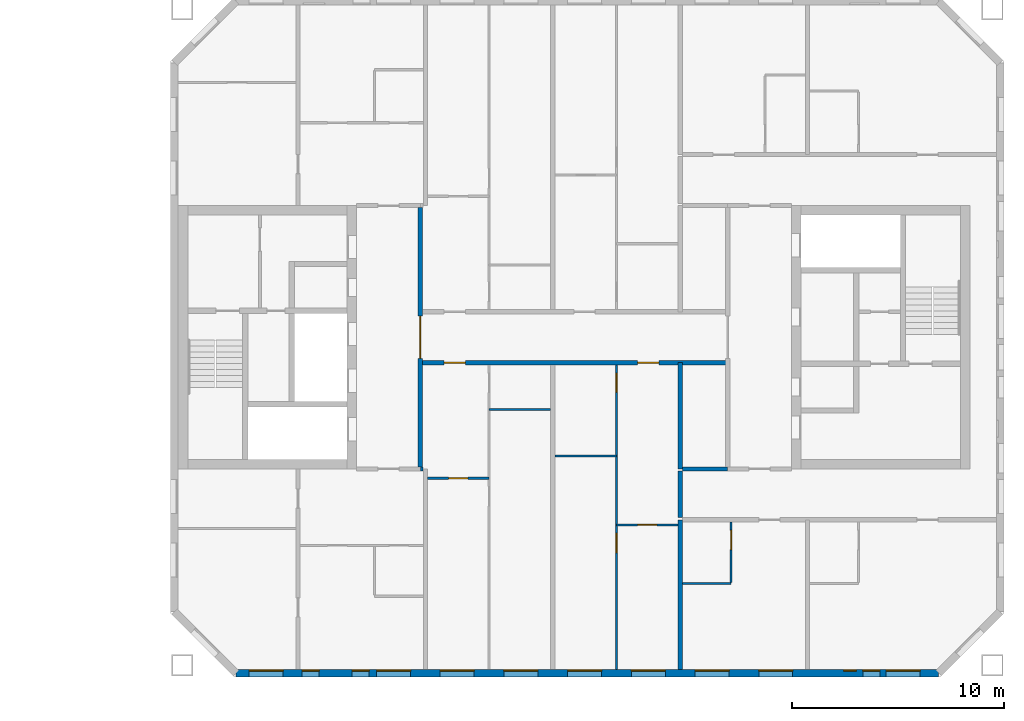
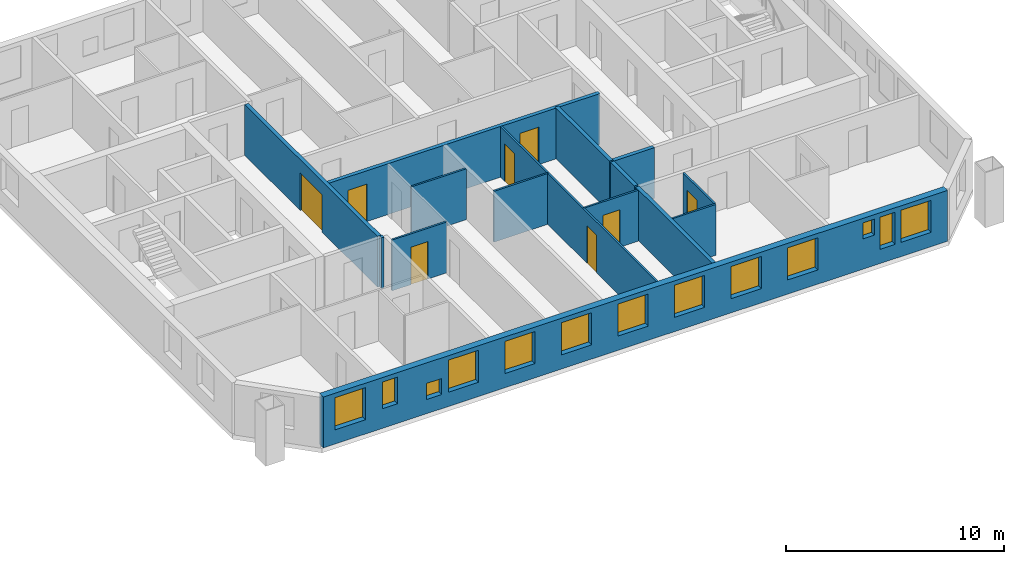
# One storey, part 10 of 16: 15 walls, 13 windows, 8 doors, 21 openings.
"""IFC4 building model written with IfcOpenShell, lengths in metres."""

import ifcopenshell
import ifcopenshell.guid

model = None  # the IFC model being written
_history = None  # IfcOwnerHistory: only IFC2X3 demands one
_inside = {}  # id of a spatial element -> (the spatial element, [elements in it])
_under = {}  # id of a project, library or spatial element -> (it, [spatial elements below it])
_declared = {}  # id of a project -> (the project, [libraries it declares])
_typed = {}  # id of a type object -> (the type object, [elements of that type])
_made_of = {}  # id of a material, layer set ... -> (it, [elements and type objects made of it])


def new_model(schema):
    """Start an empty IFC model of exactly this schema.

    Asked for "IFC4X3", IfcOpenShell would pick the latest addendum, in which some entities
    have other attributes; the version numbers below select the first issue.
    IFC2X3 requires an IfcOwnerHistory on every rooted entity: one is made here for all.
    """
    global model, _history
    if schema == "IFC4X3":
        model = ifcopenshell.file(schema_version=(4, 3, 0, 0))
    else:
        model = ifcopenshell.file(schema=schema)
    _inside.clear()
    _under.clear()
    _declared.clear()
    _typed.clear()
    _made_of.clear()
    _history = None
    if model.schema == "IFC2X3":
        org = make("IfcOrganization", Name="unknown")
        user = make(
            "IfcPersonAndOrganization",
            ThePerson=make("IfcPerson", FamilyName="unknown"),
            TheOrganization=org,
        )
        app = make(
            "IfcApplication",
            ApplicationDeveloper=org,
            Version="unknown",
            ApplicationFullName="unknown",
            ApplicationIdentifier="unknown",
        )
        _history = make(
            "IfcOwnerHistory",
            OwningUser=user,
            OwningApplication=app,
            ChangeAction="ADDED",
            CreationDate=0,
        )
    return model


def make(cls, **values):
    """One entity of the class cls with the attributes given. An attribute that is None is left unset."""
    return model.create_entity(
        cls, **{name: value for name, value in values.items() if value is not None}
    )


def rooted(cls, **values):
    """An entity with a GlobalId (a new one), such as an element, a storey or a relation."""
    return make(cls, GlobalId=ifcopenshell.guid.new(), OwnerHistory=_history, **values)


def si_unit(unit_type, name, prefix=None):
    """IfcSIUnit, for example si_unit("LENGTHUNIT", "METRE", prefix="MILLI")."""
    return make("IfcSIUnit", UnitType=unit_type, Prefix=prefix, Name=name)


def assignment(units):
    """IfcUnitAssignment: the units of a project."""
    return None if units is None else make("IfcUnitAssignment", Units=units)


def point(xyz):
    """IfcCartesianPoint."""
    return None if xyz is None else make("IfcCartesianPoint", Coordinates=xyz)


def direction(xyz):
    """IfcDirection."""
    return None if xyz is None else make("IfcDirection", DirectionRatios=xyz)


def frame(location, z_axis=None, x_axis=None):
    """IfcAxis2Placement3D, a coordinate frame: its origin and axes. An axis left out is left unset."""
    return make(
        "IfcAxis2Placement3D",
        Location=point(location),
        Axis=direction(z_axis),
        RefDirection=direction(x_axis),
    )


def frame_2d(location, x_axis=None):
    """IfcAxis2Placement2D, a coordinate frame in the plane: its origin and x axis."""
    return make(
        "IfcAxis2Placement2D", Location=point(location), RefDirection=direction(x_axis)
    )


def origin():
    """The frame at (0, 0, 0) with its axes left unset."""
    return frame((0.0, 0.0, 0.0))


def place(relative_to, where):
    """IfcLocalPlacement: puts the frame where relative to a parent placement (None: the world)."""
    return make(
        "IfcLocalPlacement", PlacementRelTo=relative_to, RelativePlacement=where
    )


def context(
    kind, dimensions, precision=None, world=None, true_north=None, identifier=None
):
    """IfcGeometricRepresentationContext, for example the 3D "Model" context."""
    return make(
        "IfcGeometricRepresentationContext",
        ContextIdentifier=identifier,
        ContextType=kind,
        CoordinateSpaceDimension=dimensions,
        Precision=precision,
        WorldCoordinateSystem=world,
        TrueNorth=true_north,
    )


def subcontext(parent, identifier, kind, view, scale=None):
    """IfcGeometricRepresentationSubContext, for example "Body" below "Model"."""
    return make(
        "IfcGeometricRepresentationSubContext",
        ContextIdentifier=identifier,
        ContextType=kind,
        ParentContext=parent,
        TargetScale=scale,
        TargetView=view,
    )


def project(units=None, contexts=None):
    """IfcProject with its units and contexts."""
    return rooted(
        "IfcProject",
        Name="project",
        RepresentationContexts=contexts,
        UnitsInContext=assignment(units),
    )


def spatial(cls, under=None, at=None, **own):
    """A site, building, storey or space (cls), placed at a placement, below another one or the project."""
    s = rooted(cls, ObjectPlacement=at, **own)
    if under is not None:
        _under.setdefault(under.id(), (under, []))[1].append(s)
    return s


def profile(cls, at=None, kind="AREA", **sizes):
    """A parametric profile (cls). Its sizes go by their IFC names, for example OverallWidth=200.0."""
    return make(cls, ProfileType=kind, Position=at, **sizes)


def rectangle(**sizes):
    """IfcRectangleProfileDef."""
    return profile("IfcRectangleProfileDef", **sizes)


def extrude(swept, where, along, depth):
    """IfcExtrudedAreaSolid: the profile swept, set in the frame where, extruded along a direction by depth."""
    return make(
        "IfcExtrudedAreaSolid",
        SweptArea=swept,
        Position=where,
        ExtrudedDirection=direction(along),
        Depth=depth,
    )


def shape(context_of_items, identifier, shape_type, items):
    """IfcShapeRepresentation: the items that make up one representation, for example the "Body"."""
    return make(
        "IfcShapeRepresentation",
        ContextOfItems=context_of_items,
        RepresentationIdentifier=identifier,
        RepresentationType=shape_type,
        Items=items,
    )


def material(Name=None, Category=None):
    """IfcMaterial."""
    return make("IfcMaterial", Name=Name, Category=Category)


def layer(
    of_material, thickness, ventilated=None, Name=None, Category=None, Priority=None
):
    """IfcMaterialLayer: one layer of a wall or slab, of a material (None: an air gap)."""
    return make(
        "IfcMaterialLayer",
        Material=of_material,
        LayerThickness=thickness,
        IsVentilated=ventilated,
        Name=Name,
        Category=Category,
        Priority=Priority,
    )


def layer_set(layers, Name=None):
    """IfcMaterialLayerSet."""
    return make("IfcMaterialLayerSet", MaterialLayers=layers, LayerSetName=Name)


def made_of(thing, what):
    """Note that an element or type object is made of a material, layer set ...; save() writes the relation."""
    if what is not None:
        _made_of.setdefault(what.id(), (what, []))[1].append(thing)
    return thing


def type_object(cls, material=None, **own):
    """A type object (cls), such as IfcWallType, which elements share."""
    return made_of(rooted(cls, **own), material)


def element(
    cls,
    number,
    at=None,
    inside=None,
    cuts=None,
    type_object=None,
    material=None,
    context=None,
    identifier="Body",
    shape_type=None,
    held_by="IfcProductDefinitionShape",
    body=None,
    shapes=None,
    **own,
):
    """One element of the class cls, such as IfcWall. Its Tag is "e" and its number.

    at: its placement. inside: the storey or other place that contains it. cuts: it is an
    opening in that element (IfcRelVoidsElement). A single representation is given by context,
    identifier, shape_type and body (its items); several are given by shapes. held_by: the class
    of the entity that holds the representations. save() writes the other relations.
    """
    e = rooted(cls, Tag="e%d" % number, ObjectPlacement=at, **own)
    if body is not None:
        shapes = [shape(context, identifier, shape_type, body)]
    if shapes is not None:
        e.Representation = make(held_by, Representations=shapes)
    if inside is not None:
        _inside.setdefault(inside.id(), (inside, []))[1].append(e)
    if cuts is not None:
        rooted(
            "IfcRelVoidsElement", RelatingBuildingElement=cuts, RelatedOpeningElement=e
        )
    if type_object is not None:
        _typed.setdefault(type_object.id(), (type_object, []))[1].append(e)
    return made_of(e, material)


def fill(opening, filler):
    """IfcRelFillsElement: the door or window that sits in an opening."""
    return rooted(
        "IfcRelFillsElement",
        RelatingOpeningElement=opening,
        RelatedBuildingElement=filler,
    )


def aggregate(whole, parts):
    """IfcRelAggregates: a whole, such as a stair, and the parts it consists of."""
    return rooted("IfcRelAggregates", RelatingObject=whole, RelatedObjects=parts)


def save(model, path):
    """Write the relations noted so far, then the file.

    IfcRelAggregates (storeys below a building ...), IfcRelContainedInSpatialStructure (elements
    in a storey), IfcRelDefinesByType, IfcRelAssociatesMaterial and IfcRelDeclares: one each for
    every whole, place, type object, material and project.
    """
    for whole, parts in _under.values():
        aggregate(whole, parts)
    for where, things in _inside.values():
        rooted(
            "IfcRelContainedInSpatialStructure",
            RelatedElements=things,
            RelatingStructure=where,
        )
    for kind, things in _typed.values():
        rooted("IfcRelDefinesByType", RelatedObjects=things, RelatingType=kind)
    for what, things in _made_of.values():
        rooted("IfcRelAssociatesMaterial", RelatedObjects=things, RelatingMaterial=what)
    for by, libraries in _declared.values():
        rooted("IfcRelDeclares", RelatingContext=by, RelatedDefinitions=libraries)
    model.write(path)


model = new_model("IFC4")

# Units and contexts
model_context = context("Model", 3, precision=1e-05, world=origin(), true_north=direction((0.0, 1.0)))
body_context = subcontext(model_context, "Body", "Model", "MODEL_VIEW")
ifc_project = project(units=[si_unit("LENGTHUNIT", "METRE"), si_unit("AREAUNIT", "SQUARE_METRE"), si_unit("VOLUMEUNIT", "CUBIC_METRE"), si_unit("PLANEANGLEUNIT", "RADIAN"), si_unit("MASSUNIT", "GRAM", prefix="KILO")], contexts=[model_context])

# Site, building, storey
site_placement = place(None, origin())
site = spatial("IfcSite", under=ifc_project, at=site_placement, CompositionType="ELEMENT")
building_placement = place(site_placement, origin())
building = spatial("IfcBuilding", under=site, at=building_placement, Name="Tuart Gate Housing", CompositionType="ELEMENT")
storey_placement = place(building_placement, frame((0.0, 0.0, 178.89990234375)))
storey = spatial("IfcBuildingStorey", under=building, at=storey_placement, Name="L50", CompositionType="ELEMENT", Elevation=178.89990234375)

# Wall, openings, windows
ifc_material_1 = material(Name="Brick", Category="masonry")
ifc_layer_1 = layer(ifc_material_1, 0.360107421875)
ifc_layer_set_1 = layer_set([ifc_layer_1], Name="Brick pier and spandrel wall 360")
wall_type_1 = type_object("IfcWallType", Name="Brick pier and spandrel wall 360", PredefinedType="STANDARD", material=ifc_layer_set_1)
wall_1_placement = place(storey_placement, frame((134.07470703125, 54.179931640625, 0.0), z_axis=(0.0, 0.0, 1.0), x_axis=(1.0, 0.0, 0.0)))
wall_1 = element("IfcWall", 1, at=wall_1_placement, inside=storey, type_object=wall_type_1, Name="External wall B-S L50", PredefinedType="STANDARD", context=body_context, shape_type="SweptSolid", body=[
    extrude(rectangle(XDim=33.100830078125, YDim=0.360107421875, at=frame_2d((16.55029296875, 0.0))), origin(), (0.0, 0.0, 1.0), 2.85009765625),
])
opening_1_placement = place(wall_1_placement, frame((0.62548828125, 0.0, 0.800048828125)))
opening_1 = element("IfcOpeningElement", 2, at=opening_1_placement, cuts=wall_1, Name="Opening W1", PredefinedType="OPENING", context=body_context, shape_type="SweptSolid", body=[
    extrude(rectangle(XDim=1.60009765625, YDim=1.800048828125, at=frame_2d((0.800048828125, 0.89990234375))), frame((0.0, 0.18994140625, 0.0), z_axis=(0.0, -1.0, 0.0), x_axis=(1.0, 0.0, 0.0)), (0.0, 0.0, 1.0), 0.380126953125),
])
opening_2_placement = place(wall_1_placement, frame((3.12548828125, 0.0, 1.10009765625)))
opening_2 = element("IfcOpeningElement", 3, at=opening_2_placement, cuts=wall_1, Name="Opening W1J", PredefinedType="OPENING", context=body_context, shape_type="SweptSolid", body=[
    extrude(rectangle(XDim=0.800048828125, YDim=1.5, at=frame_2d((0.39990234375, 0.75))), frame((0.0, 0.18994140625, 0.0), z_axis=(0.0, -1.0, 0.0), x_axis=(1.0, 0.0, 0.0)), (0.0, 0.0, 1.0), 0.380126953125),
])
opening_3_placement = place(wall_1_placement, frame((6.62548828125, 0.0, 0.800048828125)))
opening_3 = element("IfcOpeningElement", 4, at=opening_3_placement, cuts=wall_1, Name="Opening W1", PredefinedType="OPENING", context=body_context, shape_type="SweptSolid", body=[
    extrude(rectangle(XDim=1.60009765625, YDim=1.800048828125, at=frame_2d((0.800048828125, 0.89990234375))), frame((0.0, 0.18994140625, 0.0), z_axis=(0.0, -1.0, 0.0), x_axis=(1.0, 0.0, 0.0)), (0.0, 0.0, 1.0), 0.380126953125),
])
opening_4_placement = place(wall_1_placement, frame((9.62548828125, 0.0, 0.800048828125)))
opening_4 = element("IfcOpeningElement", 5, at=opening_4_placement, cuts=wall_1, Name="Opening W1", PredefinedType="OPENING", context=body_context, shape_type="SweptSolid", body=[
    extrude(rectangle(XDim=1.60009765625, YDim=1.800048828125, at=frame_2d((0.800048828125, 0.89990234375))), frame((0.0, 0.18994140625, 0.0), z_axis=(0.0, -1.0, 0.0), x_axis=(1.0, 0.0, 0.0)), (0.0, 0.0, 1.0), 0.380126953125),
])
opening_5_placement = place(wall_1_placement, frame((12.62548828125, 0.0, 0.800048828125)))
opening_5 = element("IfcOpeningElement", 6, at=opening_5_placement, cuts=wall_1, Name="Opening W1", PredefinedType="OPENING", context=body_context, shape_type="SweptSolid", body=[
    extrude(rectangle(XDim=1.60009765625, YDim=1.800048828125, at=frame_2d((0.800048828125, 0.89990234375))), frame((0.0, 0.18994140625, 0.0), z_axis=(0.0, -1.0, 0.0), x_axis=(1.0, 0.0, 0.0)), (0.0, 0.0, 1.0), 0.380126953125),
])
opening_6_placement = place(wall_1_placement, frame((15.62548828125, 0.0, 0.800048828125)))
opening_6 = element("IfcOpeningElement", 7, at=opening_6_placement, cuts=wall_1, Name="Opening W1", PredefinedType="OPENING", context=body_context, shape_type="SweptSolid", body=[
    extrude(rectangle(XDim=1.60009765625, YDim=1.800048828125, at=frame_2d((0.800048828125, 0.89990234375))), frame((0.0, 0.18994140625, 0.0), z_axis=(0.0, -1.0, 0.0), x_axis=(1.0, 0.0, 0.0)), (0.0, 0.0, 1.0), 0.380126953125),
])
opening_7_placement = place(wall_1_placement, frame((18.62548828125, 0.0, 0.800048828125)))
opening_7 = element("IfcOpeningElement", 8, at=opening_7_placement, cuts=wall_1, Name="Opening W1", PredefinedType="OPENING", context=body_context, shape_type="SweptSolid", body=[
    extrude(rectangle(XDim=1.60009765625, YDim=1.800048828125, at=frame_2d((0.800048828125, 0.89990234375))), frame((0.0, 0.18994140625, 0.0), z_axis=(0.0, -1.0, 0.0), x_axis=(1.0, 0.0, 0.0)), (0.0, 0.0, 1.0), 0.380126953125),
])
opening_8_placement = place(wall_1_placement, frame((21.62548828125, 0.0, 0.800048828125)))
opening_8 = element("IfcOpeningElement", 9, at=opening_8_placement, cuts=wall_1, Name="Opening W1", PredefinedType="OPENING", context=body_context, shape_type="SweptSolid", body=[
    extrude(rectangle(XDim=1.60009765625, YDim=1.800048828125, at=frame_2d((0.800048828125, 0.89990234375))), frame((0.0, 0.18994140625, 0.0), z_axis=(0.0, -1.0, 0.0), x_axis=(1.0, 0.0, 0.0)), (0.0, 0.0, 1.0), 0.380126953125),
])
opening_9_placement = place(wall_1_placement, frame((24.62548828125, 0.0, 0.800048828125)))
opening_9 = element("IfcOpeningElement", 10, at=opening_9_placement, cuts=wall_1, Name="Opening W1", PredefinedType="OPENING", context=body_context, shape_type="SweptSolid", body=[
    extrude(rectangle(XDim=1.60009765625, YDim=1.800048828125, at=frame_2d((0.800048828125, 0.89990234375))), frame((0.0, 0.18994140625, 0.0), z_axis=(0.0, -1.0, 0.0), x_axis=(1.0, 0.0, 0.0)), (0.0, 0.0, 1.0), 0.380126953125),
])
opening_10_placement = place(wall_1_placement, frame((28.62548828125, 0.0, 1.699951171875)))
opening_10 = element("IfcOpeningElement", 11, at=opening_10_placement, cuts=wall_1, Name="Opening W1W", PredefinedType="OPENING", context=body_context, shape_type="SweptSolid", body=[
    extrude(rectangle(XDim=0.60009765625, YDim=0.89990234375, at=frame_2d((0.300048828125, 0.449951171875))), frame((0.0, 0.18994140625, 0.0), z_axis=(0.0, -1.0, 0.0), x_axis=(1.0, 0.0, 0.0)), (0.0, 0.0, 1.0), 0.380126953125),
])
opening_11_placement = place(wall_1_placement, frame((30.62548828125, 0.0, 0.800048828125)))
opening_11 = element("IfcOpeningElement", 12, at=opening_11_placement, cuts=wall_1, Name="Opening W1", PredefinedType="OPENING", context=body_context, shape_type="SweptSolid", body=[
    extrude(rectangle(XDim=1.60009765625, YDim=1.800048828125, at=frame_2d((0.800048828125, 0.89990234375))), frame((0.0, 0.18994140625, 0.0), z_axis=(0.0, -1.0, 0.0), x_axis=(1.0, 0.0, 0.0)), (0.0, 0.0, 1.0), 0.380126953125),
])
opening_12_placement = place(wall_1_placement, frame((5.475341796875, 0.0, 0.800048828125)))
opening_12 = element("IfcOpeningElement", 13, at=opening_12_placement, cuts=wall_1, Name="Opening W1V", PredefinedType="OPENING", context=body_context, shape_type="SweptSolid", body=[
    extrude(rectangle(XDim=0.800048828125, YDim=0.89990234375, at=frame_2d((0.39990234375, 0.449951171875))), frame((0.0, 0.18994140625, 0.0), z_axis=(0.0, -1.0, 0.0), x_axis=(1.0, 0.0, 0.0)), (0.0, 0.0, 1.0), 0.380126953125),
])
opening_13_placement = place(wall_1_placement, frame((29.525390625, 0.0, 0.800048828125)))
opening_13 = element("IfcOpeningElement", 14, at=opening_13_placement, cuts=wall_1, Name="Opening W1D", PredefinedType="OPENING", context=body_context, shape_type="SweptSolid", body=[
    extrude(rectangle(XDim=0.800048828125, YDim=1.800048828125, at=frame_2d((0.39990234375, 0.89990234375))), frame((0.0, 0.18994140625, 0.0), z_axis=(0.0, -1.0, 0.0), x_axis=(1.0, 0.0, 0.0)), (0.0, 0.0, 1.0), 0.380126953125),
])
ifc_material_2 = material(Name="Aluminium frame with clear glass", Category="aluminium")
window_type_1 = type_object("IfcWindowType", Name="Punched window 1600 x 1800", PartitioningType="SINGLE_PANEL", PredefinedType="WINDOW", material=ifc_material_2)
window_1_placement = place(opening_1_placement, origin())
window_1 = element("IfcWindow", 15, at=window_1_placement, inside=storey, type_object=window_type_1, Name="Window W1", OverallHeight=1.800048828125, OverallWidth=1.60009765625, PartitioningType="SINGLE_PANEL", PredefinedType="WINDOW", context=body_context, shape_type="SweptSolid", body=[
    extrude(rectangle(XDim=1.60009765625, YDim=1.800048828125, at=frame_2d((0.800048828125, 0.89990234375))), frame((0.0, 0.150146484375, 0.0), z_axis=(0.0, -1.0, 0.0), x_axis=(1.0, 0.0, 0.0)), (0.0, 0.0, 1.0), 0.06005859375),
])
fill(opening_1, window_1)
window_2_placement = place(opening_3_placement, origin())
window_2 = element("IfcWindow", 16, at=window_2_placement, inside=storey, type_object=window_type_1, Name="Window W1", OverallHeight=1.800048828125, OverallWidth=1.60009765625, PartitioningType="SINGLE_PANEL", PredefinedType="WINDOW", context=body_context, shape_type="SweptSolid", body=[
    extrude(rectangle(XDim=1.60009765625, YDim=1.800048828125, at=frame_2d((0.800048828125, 0.89990234375))), frame((0.0, 0.150146484375, 0.0), z_axis=(0.0, -1.0, 0.0), x_axis=(1.0, 0.0, 0.0)), (0.0, 0.0, 1.0), 0.06005859375),
])
fill(opening_3, window_2)
window_3_placement = place(opening_4_placement, origin())
window_3 = element("IfcWindow", 17, at=window_3_placement, inside=storey, type_object=window_type_1, Name="Window W1", OverallHeight=1.800048828125, OverallWidth=1.60009765625, PartitioningType="SINGLE_PANEL", PredefinedType="WINDOW", context=body_context, shape_type="SweptSolid", body=[
    extrude(rectangle(XDim=1.60009765625, YDim=1.800048828125, at=frame_2d((0.800048828125, 0.89990234375))), frame((0.0, 0.150146484375, 0.0), z_axis=(0.0, -1.0, 0.0), x_axis=(1.0, 0.0, 0.0)), (0.0, 0.0, 1.0), 0.06005859375),
])
fill(opening_4, window_3)
window_4_placement = place(opening_5_placement, origin())
window_4 = element("IfcWindow", 18, at=window_4_placement, inside=storey, type_object=window_type_1, Name="Window W1", OverallHeight=1.800048828125, OverallWidth=1.60009765625, PartitioningType="SINGLE_PANEL", PredefinedType="WINDOW", context=body_context, shape_type="SweptSolid", body=[
    extrude(rectangle(XDim=1.60009765625, YDim=1.800048828125, at=frame_2d((0.800048828125, 0.89990234375))), frame((0.0, 0.150146484375, 0.0), z_axis=(0.0, -1.0, 0.0), x_axis=(1.0, 0.0, 0.0)), (0.0, 0.0, 1.0), 0.06005859375),
])
fill(opening_5, window_4)
window_5_placement = place(opening_6_placement, origin())
window_5 = element("IfcWindow", 19, at=window_5_placement, inside=storey, type_object=window_type_1, Name="Window W1", OverallHeight=1.800048828125, OverallWidth=1.60009765625, PartitioningType="SINGLE_PANEL", PredefinedType="WINDOW", context=body_context, shape_type="SweptSolid", body=[
    extrude(rectangle(XDim=1.60009765625, YDim=1.800048828125, at=frame_2d((0.800048828125, 0.89990234375))), frame((0.0, 0.150146484375, 0.0), z_axis=(0.0, -1.0, 0.0), x_axis=(1.0, 0.0, 0.0)), (0.0, 0.0, 1.0), 0.06005859375),
])
fill(opening_6, window_5)
window_6_placement = place(opening_7_placement, origin())
window_6 = element("IfcWindow", 20, at=window_6_placement, inside=storey, type_object=window_type_1, Name="Window W1", OverallHeight=1.800048828125, OverallWidth=1.60009765625, PartitioningType="SINGLE_PANEL", PredefinedType="WINDOW", context=body_context, shape_type="SweptSolid", body=[
    extrude(rectangle(XDim=1.60009765625, YDim=1.800048828125, at=frame_2d((0.800048828125, 0.89990234375))), frame((0.0, 0.150146484375, 0.0), z_axis=(0.0, -1.0, 0.0), x_axis=(1.0, 0.0, 0.0)), (0.0, 0.0, 1.0), 0.06005859375),
])
fill(opening_7, window_6)
window_7_placement = place(opening_8_placement, origin())
window_7 = element("IfcWindow", 21, at=window_7_placement, inside=storey, type_object=window_type_1, Name="Window W1", OverallHeight=1.800048828125, OverallWidth=1.60009765625, PartitioningType="SINGLE_PANEL", PredefinedType="WINDOW", context=body_context, shape_type="SweptSolid", body=[
    extrude(rectangle(XDim=1.60009765625, YDim=1.800048828125, at=frame_2d((0.800048828125, 0.89990234375))), frame((0.0, 0.150146484375, 0.0), z_axis=(0.0, -1.0, 0.0), x_axis=(1.0, 0.0, 0.0)), (0.0, 0.0, 1.0), 0.06005859375),
])
fill(opening_8, window_7)
window_8_placement = place(opening_9_placement, origin())
window_8 = element("IfcWindow", 22, at=window_8_placement, inside=storey, type_object=window_type_1, Name="Window W1", OverallHeight=1.800048828125, OverallWidth=1.60009765625, PartitioningType="SINGLE_PANEL", PredefinedType="WINDOW", context=body_context, shape_type="SweptSolid", body=[
    extrude(rectangle(XDim=1.60009765625, YDim=1.800048828125, at=frame_2d((0.800048828125, 0.89990234375))), frame((0.0, 0.150146484375, 0.0), z_axis=(0.0, -1.0, 0.0), x_axis=(1.0, 0.0, 0.0)), (0.0, 0.0, 1.0), 0.06005859375),
])
fill(opening_9, window_8)
window_9_placement = place(opening_11_placement, origin())
window_9 = element("IfcWindow", 23, at=window_9_placement, inside=storey, type_object=window_type_1, Name="Window W1", OverallHeight=1.800048828125, OverallWidth=1.60009765625, PartitioningType="SINGLE_PANEL", PredefinedType="WINDOW", context=body_context, shape_type="SweptSolid", body=[
    extrude(rectangle(XDim=1.60009765625, YDim=1.800048828125, at=frame_2d((0.800048828125, 0.89990234375))), frame((0.0, 0.150146484375, 0.0), z_axis=(0.0, -1.0, 0.0), x_axis=(1.0, 0.0, 0.0)), (0.0, 0.0, 1.0), 0.06005859375),
])
fill(opening_11, window_9)
ifc_material_3 = material(Name="Aluminium frame with clear glass", Category="aluminium")
window_type_2 = type_object("IfcWindowType", Name="Punched window 600 x 900", PartitioningType="SINGLE_PANEL", PredefinedType="WINDOW", material=ifc_material_3)
window_10_placement = place(opening_10_placement, origin())
window_10 = element("IfcWindow", 24, at=window_10_placement, inside=storey, type_object=window_type_2, Name="Window W1W", OverallHeight=0.89990234375, OverallWidth=0.60009765625, PartitioningType="SINGLE_PANEL", PredefinedType="WINDOW", context=body_context, shape_type="SweptSolid", body=[
    extrude(rectangle(XDim=0.60009765625, YDim=0.89990234375, at=frame_2d((0.300048828125, 0.449951171875))), frame((0.0, 0.150146484375, 0.0), z_axis=(0.0, -1.0, 0.0), x_axis=(1.0, 0.0, 0.0)), (0.0, 0.0, 1.0), 0.06005859375),
])
fill(opening_10, window_10)
ifc_material_4 = material(Name="Aluminium frame with clear glass", Category="aluminium")
window_type_3 = type_object("IfcWindowType", Name="Punched window 800 x 1500", PartitioningType="SINGLE_PANEL", PredefinedType="WINDOW", material=ifc_material_4)
window_11_placement = place(opening_2_placement, origin())
window_11 = element("IfcWindow", 25, at=window_11_placement, inside=storey, type_object=window_type_3, Name="Window W1J", OverallHeight=1.5, OverallWidth=0.800048828125, PartitioningType="SINGLE_PANEL", PredefinedType="WINDOW", context=body_context, shape_type="SweptSolid", body=[
    extrude(rectangle(XDim=0.800048828125, YDim=1.5, at=frame_2d((0.39990234375, 0.75))), frame((0.0, 0.150146484375, 0.0), z_axis=(0.0, -1.0, 0.0), x_axis=(1.0, 0.0, 0.0)), (0.0, 0.0, 1.0), 0.06005859375),
])
fill(opening_2, window_11)
ifc_material_5 = material(Name="Aluminium frame with clear glass", Category="aluminium")
window_type_4 = type_object("IfcWindowType", Name="Punched window 800 x 1800", PartitioningType="SINGLE_PANEL", PredefinedType="WINDOW", material=ifc_material_5)
window_12_placement = place(opening_13_placement, origin())
window_12 = element("IfcWindow", 26, at=window_12_placement, inside=storey, type_object=window_type_4, Name="Window W1D", OverallHeight=1.800048828125, OverallWidth=0.800048828125, PartitioningType="SINGLE_PANEL", PredefinedType="WINDOW", context=body_context, shape_type="SweptSolid", body=[
    extrude(rectangle(XDim=0.800048828125, YDim=1.800048828125, at=frame_2d((0.39990234375, 0.89990234375))), frame((0.0, 0.150146484375, 0.0), z_axis=(0.0, -1.0, 0.0), x_axis=(1.0, 0.0, 0.0)), (0.0, 0.0, 1.0), 0.06005859375),
])
fill(opening_13, window_12)
ifc_material_6 = material(Name="Aluminium frame with clear glass", Category="aluminium")
window_type_5 = type_object("IfcWindowType", Name="Punched window 800 x 900", PartitioningType="SINGLE_PANEL", PredefinedType="WINDOW", material=ifc_material_6)
window_13_placement = place(opening_12_placement, origin())
window_13 = element("IfcWindow", 27, at=window_13_placement, inside=storey, type_object=window_type_5, Name="Window W1V", OverallHeight=0.89990234375, OverallWidth=0.800048828125, PartitioningType="SINGLE_PANEL", PredefinedType="WINDOW", context=body_context, shape_type="SweptSolid", body=[
    extrude(rectangle(XDim=0.800048828125, YDim=0.89990234375, at=frame_2d((0.39990234375, 0.449951171875))), frame((0.0, 0.150146484375, 0.0), z_axis=(0.0, -1.0, 0.0), x_axis=(1.0, 0.0, 0.0)), (0.0, 0.0, 1.0), 0.06005859375),
])
fill(opening_12, window_13)

# Wall
ifc_material_7 = material(Name="Concrete masonry 15 MPa", Category="masonry")
ifc_layer_2 = layer(ifc_material_7, 0.199951171875)
ifc_layer_set_2 = layer_set([ifc_layer_2], Name="Corridor wall masonry 200")
wall_type_2 = type_object("IfcWallType", Name="Corridor wall masonry 200", PredefinedType="PARTITIONING", material=ifc_layer_set_2)
wall_2_placement = place(storey_placement, frame((155.10009765625, 63.800048828125, 0.0), z_axis=(0.0, 0.0, 1.0), x_axis=(1.0, 0.0, 0.0)))
element("IfcWall", 28, at=wall_2_placement, inside=storey, type_object=wall_type_2, Name="Corridor wall masonry 200", PredefinedType="PARTITIONING", context=body_context, shape_type="SweptSolid", body=[
    extrude(rectangle(XDim=2.139892578125, YDim=0.199951171875, at=frame_2d((1.06982421875, 0.0))), origin(), (0.0, 0.0, 1.0), 2.85009765625),
])

# Wall, openings, doors
wall_3_placement = place(storey_placement, frame((142.760009765625, 68.800048828125, 0.0), z_axis=(0.0, 0.0, 1.0), x_axis=(1.0, 0.0, 0.0)))
wall_3 = element("IfcWall", 29, at=wall_3_placement, inside=storey, type_object=wall_type_2, Name="Corridor wall masonry 200", PredefinedType="PARTITIONING", context=body_context, shape_type="SweptSolid", body=[
    extrude(rectangle(XDim=14.47998046875, YDim=0.199951171875, at=frame_2d((7.239990234375, 0.0))), origin(), (0.0, 0.0, 1.0), 2.85009765625),
])
opening_14_placement = place(wall_3_placement, frame((1.1201171875, 0.0, 0.0)))
opening_14 = element("IfcOpeningElement", 30, at=opening_14_placement, cuts=wall_3, Name="Opening D1820", PredefinedType="OPENING", context=body_context, shape_type="SweptSolid", body=[
    extrude(rectangle(XDim=1.0, YDim=2.10009765625, at=frame_2d((0.5, 1.050048828125))), frame((0.0, 0.10986328125, 0.0), z_axis=(0.0, -1.0, 0.0), x_axis=(1.0, 0.0, 0.0)), (0.0, 0.0, 1.0), 0.219970703125),
])
opening_15_placement = place(wall_3_placement, frame((10.239990234375, 0.0, 0.0)))
opening_15 = element("IfcOpeningElement", 31, at=opening_15_placement, cuts=wall_3, Name="Opening D1821", PredefinedType="OPENING", context=body_context, shape_type="SweptSolid", body=[
    extrude(rectangle(XDim=1.0, YDim=2.10009765625, at=frame_2d((0.5, 1.050048828125))), frame((0.0, 0.10986328125, 0.0), z_axis=(0.0, -1.0, 0.0), x_axis=(1.0, 0.0, 0.0)), (0.0, 0.0, 1.0), 0.219970703125),
])
ifc_material_8 = material(Name="Timber door leaf in steel frame", Category="steel")
door_type_1 = type_object("IfcDoorType", Name="Flat entrance door 1000 RH", OperationType="SINGLE_SWING_RIGHT", PredefinedType="DOOR", material=ifc_material_8)
door_1_placement = place(opening_14_placement, frame((1.0, 0.0, 0.0), z_axis=(0.0, 0.0, 1.0), x_axis=(-1.0, 0.0, 0.0)))
door_1 = element("IfcDoor", 32, at=door_1_placement, inside=storey, type_object=door_type_1, Name="Flat entrance door", OperationType="SINGLE_SWING_RIGHT", OverallHeight=2.10009765625, OverallWidth=1.0, PredefinedType="DOOR", context=body_context, shape_type="SweptSolid", body=[
    extrude(rectangle(XDim=1.0, YDim=2.10009765625, at=frame_2d((0.5, 1.050048828125))), frame((0.0, 0.025146484375, 0.0), z_axis=(0.0, -1.0, 0.0), x_axis=(1.0, 0.0, 0.0)), (0.0, 0.0, 1.0), 0.050048828125),
])
fill(opening_14, door_1)
door_2_placement = place(opening_15_placement, frame((1.0, 0.0, 0.0), z_axis=(0.0, 0.0, 1.0), x_axis=(-1.0, 0.0, 0.0)))
door_2 = element("IfcDoor", 33, at=door_2_placement, inside=storey, type_object=door_type_1, Name="Flat entrance door", OperationType="SINGLE_SWING_RIGHT", OverallHeight=2.10009765625, OverallWidth=1.0, PredefinedType="DOOR", context=body_context, shape_type="SweptSolid", body=[
    extrude(rectangle(XDim=1.0, YDim=2.10009765625, at=frame_2d((0.5, 1.050048828125))), frame((0.0, 0.025146484375, 0.0), z_axis=(0.0, -1.0, 0.0), x_axis=(1.0, 0.0, 0.0)), (0.0, 0.0, 1.0), 0.050048828125),
])
fill(opening_15, door_2)

# Wall
wall_4_placement = place(storey_placement, frame((155.0, 61.5, 0.0), z_axis=(0.0, 0.0, 1.0), x_axis=(0.0, 1.0, 0.0)))
element("IfcWall", 34, at=wall_4_placement, inside=storey, type_object=wall_type_2, Name="Corridor wall masonry 200", PredefinedType="PARTITIONING", context=body_context, shape_type="SweptSolid", body=[
    extrude(rectangle(XDim=2.199951171875, YDim=0.199951171875, at=frame_2d((1.10009765625, 0.0))), origin(), (0.0, 0.0, 1.0), 2.85009765625),
])

# Wall, opening, door
ifc_material_9 = material(Name="Plasterboard partition")
ifc_layer_3 = layer(ifc_material_9, 0.199951171875)
ifc_layer_set_3 = layer_set([ifc_layer_3], Name="Lobby wall 200")
wall_type_3 = type_object("IfcWallType", Name="Lobby wall 200", PredefinedType="PARTITIONING", material=ifc_layer_set_3)
wall_5_placement = place(storey_placement, frame((142.760009765625, 63.89990234375, 0.0), z_axis=(0.0, 0.0, 1.0), x_axis=(0.0, 1.0, 0.0)))
wall_5 = element("IfcWall", 35, at=wall_5_placement, inside=storey, type_object=wall_type_3, Name="Lift lobby wall BG", PredefinedType="PARTITIONING", context=body_context, shape_type="SweptSolid", body=[
    extrude(rectangle(XDim=12.2001953125, YDim=0.199951171875, at=frame_2d((6.10009765625, 0.0))), origin(), (0.0, 0.0, 1.0), 2.85009765625),
])
opening_16_placement = place(wall_5_placement, frame((5.10009765625, 0.0, 0.0)))
opening_16 = element("IfcOpeningElement", 36, at=opening_16_placement, cuts=wall_5, Name="Opening D1815", PredefinedType="OPENING", context=body_context, shape_type="SweptSolid", body=[
    extrude(rectangle(XDim=2.0, YDim=2.10009765625, at=frame_2d((1.0, 1.050048828125))), frame((0.0, 0.10986328125, 0.0), z_axis=(0.0, -1.0, 0.0), x_axis=(1.0, 0.0, 0.0)), (0.0, 0.0, 1.0), 0.219970703125),
])
ifc_material_10 = material(Name="Steel fire door", Category="steel")
door_type_2 = type_object("IfcDoorType", Name="Smoke door 2000 x 2100", OperationType="DOUBLE_DOOR_SINGLE_SWING", PredefinedType="DOOR", material=ifc_material_10)
door_3_placement = place(opening_16_placement, origin())
door_3 = element("IfcDoor", 37, at=door_3_placement, inside=storey, type_object=door_type_2, Name="Lift lobby smoke door BG", OperationType="DOUBLE_DOOR_SINGLE_SWING", OverallHeight=2.10009765625, OverallWidth=2.0, PredefinedType="DOOR", context=body_context, shape_type="SweptSolid", body=[
    extrude(rectangle(XDim=2.0, YDim=2.10009765625, at=frame_2d((1.0, 1.050048828125))), frame((0.0, 0.02490234375, 0.0), z_axis=(0.0, -1.0, 0.0), x_axis=(1.0, 0.0, 0.0)), (0.0, 0.0, 1.0), 0.050048828125),
])
fill(opening_16, door_3)

# Wall
ifc_material_11 = material(Name="Gypsum board on steel studs", Category="steel")
ifc_layer_4 = layer(ifc_material_11, 0.10009765625)
ifc_layer_set_4 = layer_set([ifc_layer_4], Name="Partition 100")
wall_type_4 = type_object("IfcWallType", Name="Partition 100", PredefinedType="PARTITIONING", material=ifc_layer_set_4)
wall_6_placement = place(storey_placement, frame((155.10009765625, 58.39990234375, 0.0), z_axis=(0.0, 0.0, 1.0), x_axis=(1.0, 0.0, 0.0)))
element("IfcWall", 38, at=wall_6_placement, inside=storey, type_object=wall_type_4, Name="Partition 100", PredefinedType="PARTITIONING", context=body_context, shape_type="SweptSolid", body=[
    extrude(rectangle(XDim=2.2998046875, YDim=0.10009765625, at=frame_2d((1.14990234375, 0.0))), origin(), (0.0, 0.0, 1.0), 2.85009765625),
])

# Wall, opening, door
wall_7_placement = place(storey_placement, frame((152.0, 61.159912109375, 0.0), z_axis=(0.0, 0.0, 1.0), x_axis=(1.0, 0.0, 0.0)))
wall_7 = element("IfcWall", 39, at=wall_7_placement, inside=storey, type_object=wall_type_4, Name="Partition 100", PredefinedType="PARTITIONING", context=body_context, shape_type="SweptSolid", body=[
    extrude(rectangle(XDim=2.89990234375, YDim=0.10009765625, at=frame_2d((1.449951171875, 0.0))), origin(), (0.0, 0.0, 1.0), 2.85009765625),
])
opening_17_placement = place(wall_7_placement, frame((1.0, 0.0, 0.0)))
opening_17 = element("IfcOpeningElement", 40, at=opening_17_placement, cuts=wall_7, Name="Opening D1833", PredefinedType="OPENING", context=body_context, shape_type="SweptSolid", body=[
    extrude(rectangle(XDim=0.89990234375, YDim=2.10009765625, at=frame_2d((0.449951171875, 1.050048828125))), frame((0.0, 0.06005859375, 0.0), z_axis=(0.0, -1.0, 0.0), x_axis=(1.0, 0.0, 0.0)), (0.0, 0.0, 1.0), 0.1201171875),
])
ifc_material_12 = material(Name="Timber door leaf in steel frame", Category="steel")
door_type_3 = type_object("IfcDoorType", Name="Internal door 900", OperationType="SINGLE_SWING_LEFT", PredefinedType="DOOR", material=ifc_material_12)
door_4_placement = place(opening_17_placement, origin())
door_4 = element("IfcDoor", 41, at=door_4_placement, inside=storey, type_object=door_type_3, Name="Internal door", OperationType="SINGLE_SWING_LEFT", OverallHeight=2.10009765625, OverallWidth=0.89990234375, PredefinedType="DOOR", context=body_context, shape_type="SweptSolid", body=[
    extrude(rectangle(XDim=0.89990234375, YDim=2.10009765625, at=frame_2d((0.449951171875, 1.050048828125))), frame((0.0, 0.02490234375, 0.0), z_axis=(0.0, -1.0, 0.0), x_axis=(1.0, 0.0, 0.0)), (0.0, 0.0, 1.0), 0.050048828125),
])
fill(opening_17, door_4)

wall_8_placement = place(storey_placement, frame((143.10009765625, 63.360107421875, 0.0), z_axis=(0.0, 0.0, 1.0), x_axis=(1.0, 0.0, 0.0)))
wall_8 = element("IfcWall", 42, at=wall_8_placement, inside=storey, type_object=wall_type_4, Name="Partition 100", PredefinedType="PARTITIONING", context=body_context, shape_type="SweptSolid", body=[
    extrude(rectangle(XDim=2.89990234375, YDim=0.10009765625, at=frame_2d((1.449951171875, 0.0))), origin(), (0.0, 0.0, 1.0), 2.85009765625),
])
opening_18_placement = place(wall_8_placement, frame((1.0, 0.0, 0.0)))
opening_18 = element("IfcOpeningElement", 43, at=opening_18_placement, cuts=wall_8, Name="Opening D1826", PredefinedType="OPENING", context=body_context, shape_type="SweptSolid", body=[
    extrude(rectangle(XDim=0.89990234375, YDim=2.10009765625, at=frame_2d((0.449951171875, 1.050048828125))), frame((0.0, 0.06005859375, 0.0), z_axis=(0.0, -1.0, 0.0), x_axis=(1.0, 0.0, 0.0)), (0.0, 0.0, 1.0), 0.1201171875),
])
ifc_material_13 = material(Name="Timber door leaf in steel frame", Category="steel")
door_type_4 = type_object("IfcDoorType", Name="Internal door 900 RH", OperationType="SINGLE_SWING_RIGHT", PredefinedType="DOOR", material=ifc_material_13)
door_5_placement = place(opening_18_placement, origin())
door_5 = element("IfcDoor", 44, at=door_5_placement, inside=storey, type_object=door_type_4, Name="Internal door", OperationType="SINGLE_SWING_RIGHT", OverallHeight=2.10009765625, OverallWidth=0.89990234375, PredefinedType="DOOR", context=body_context, shape_type="SweptSolid", body=[
    extrude(rectangle(XDim=0.89990234375, YDim=2.10009765625, at=frame_2d((0.449951171875, 1.050048828125))), frame((0.0, 0.02490234375, 0.0), z_axis=(0.0, -1.0, 0.0), x_axis=(1.0, 0.0, 0.0)), (0.0, 0.0, 1.0), 0.050048828125),
])
fill(opening_18, door_5)

# Walls
for number, where, z_axis, x_axis, name in (
    (45, (149.10009765625, 64.39990234375, 0.0), (0.0, 0.0, 1.0), (1.0, 0.0, 0.0), "Partition 100"),
    (46, (146.0, 66.60009765625, 0.0), (0.0, 0.0, 1.0), (1.0, 0.0, 0.0), "Partition 100"),
):
    element("IfcWall", number, at=place(storey_placement, frame(where, z_axis=z_axis, x_axis=x_axis)), inside=storey, type_object=wall_type_4, Name=name, PredefinedType="PARTITIONING", context=body_context, shape_type="SweptSolid", body=[
        extrude(rectangle(XDim=2.89990234375, YDim=0.10009765625, at=frame_2d((1.449951171875, 0.0))), origin(), (0.0, 0.0, 1.0), 2.85009765625),
    ])

# Wall, openings, doors
wall_9_placement = place(storey_placement, frame((152.0, 54.360107421875, 0.0), z_axis=(0.0, 0.0, 1.0), x_axis=(0.0, 1.0, 0.0)))
wall_9 = element("IfcWall", 47, at=wall_9_placement, inside=storey, type_object=wall_type_4, Name="Partition 100", PredefinedType="PARTITIONING", context=body_context, shape_type="SweptSolid", body=[
    extrude(rectangle(XDim=14.33984375, YDim=0.10009765625, at=frame_2d((7.169921875, 0.0))), origin(), (0.0, 0.0, 1.0), 2.85009765625),
])
opening_19_placement = place(wall_9_placement, frame((5.5, 0.0, 0.0)))
opening_19 = element("IfcOpeningElement", 48, at=opening_19_placement, cuts=wall_9, Name="Opening D1830", PredefinedType="OPENING", context=body_context, shape_type="SweptSolid", body=[
    extrude(rectangle(XDim=0.89990234375, YDim=2.10009765625, at=frame_2d((0.449951171875, 1.050048828125))), frame((0.0, 0.06005859375, 0.0), z_axis=(0.0, -1.0, 0.0), x_axis=(1.0, 0.0, 0.0)), (0.0, 0.0, 1.0), 0.1201171875),
])
opening_20_placement = place(wall_9_placement, frame((13.0400390625, 0.0, 0.0)))
opening_20 = element("IfcOpeningElement", 49, at=opening_20_placement, cuts=wall_9, Name="Opening D1829", PredefinedType="OPENING", context=body_context, shape_type="SweptSolid", body=[
    extrude(rectangle(XDim=0.89990234375, YDim=2.10009765625, at=frame_2d((0.449951171875, 1.050048828125))), frame((0.0, 0.06005859375, 0.0), z_axis=(0.0, -1.0, 0.0), x_axis=(1.0, 0.0, 0.0)), (0.0, 0.0, 1.0), 0.1201171875),
])
ifc_material_14 = material(Name="Timber door leaf in steel frame", Category="steel")
door_type_5 = type_object("IfcDoorType", Name="Bathroom door 900 RH", OperationType="SINGLE_SWING_RIGHT", PredefinedType="DOOR", material=ifc_material_14)
door_6_placement = place(opening_20_placement, origin())
door_6 = element("IfcDoor", 50, at=door_6_placement, inside=storey, type_object=door_type_5, Name="Bathroom door", OperationType="SINGLE_SWING_RIGHT", OverallHeight=2.10009765625, OverallWidth=0.89990234375, PredefinedType="DOOR", context=body_context, shape_type="SweptSolid", body=[
    extrude(rectangle(XDim=0.89990234375, YDim=2.10009765625, at=frame_2d((0.449951171875, 1.050048828125))), frame((0.0, 0.02490234375, 0.0), z_axis=(0.0, -1.0, 0.0), x_axis=(1.0, 0.0, 0.0)), (0.0, 0.0, 1.0), 0.050048828125),
])
fill(opening_20, door_6)
door_7_placement = place(opening_19_placement, origin())
door_7 = element("IfcDoor", 51, at=door_7_placement, inside=storey, type_object=door_type_4, Name="Internal door", OperationType="SINGLE_SWING_RIGHT", OverallHeight=2.10009765625, OverallWidth=0.89990234375, PredefinedType="DOOR", context=body_context, shape_type="SweptSolid", body=[
    extrude(rectangle(XDim=0.89990234375, YDim=2.10009765625, at=frame_2d((0.449951171875, 1.050048828125))), frame((0.0, 0.02490234375, 0.0), z_axis=(0.0, -1.0, 0.0), x_axis=(1.0, 0.0, 0.0)), (0.0, 0.0, 1.0), 0.050048828125),
])
fill(opening_19, door_7)

# Wall, opening, door
wall_10_placement = place(storey_placement, frame((157.39990234375, 58.449951171875, 0.0), z_axis=(0.0, 0.0, 1.0), x_axis=(0.0, 1.0, 0.0)))
wall_10 = element("IfcWall", 52, at=wall_10_placement, inside=storey, type_object=wall_type_4, Name="Partition 100", PredefinedType="PARTITIONING", context=body_context, shape_type="SweptSolid", body=[
    extrude(rectangle(XDim=2.85009765625, YDim=0.10009765625, at=frame_2d((1.425048828125, 0.0))), origin(), (0.0, 0.0, 1.0), 2.85009765625),
])
opening_21_placement = place(wall_10_placement, frame((1.550048828125, 0.0, 0.0)))
opening_21 = element("IfcOpeningElement", 53, at=opening_21_placement, cuts=wall_10, Name="Opening D1836", PredefinedType="OPENING", context=body_context, shape_type="SweptSolid", body=[
    extrude(rectangle(XDim=0.89990234375, YDim=2.10009765625, at=frame_2d((0.449951171875, 1.050048828125))), frame((0.0, 0.06005859375, 0.0), z_axis=(0.0, -1.0, 0.0), x_axis=(1.0, 0.0, 0.0)), (0.0, 0.0, 1.0), 0.1201171875),
])
door_8_placement = place(opening_21_placement, origin())
door_8 = element("IfcDoor", 54, at=door_8_placement, inside=storey, type_object=door_type_5, Name="Bathroom door", OperationType="SINGLE_SWING_RIGHT", OverallHeight=2.10009765625, OverallWidth=0.89990234375, PredefinedType="DOOR", context=body_context, shape_type="SweptSolid", body=[
    extrude(rectangle(XDim=0.89990234375, YDim=2.10009765625, at=frame_2d((0.449951171875, 1.050048828125))), frame((0.0, 0.02490234375, 0.0), z_axis=(0.0, -1.0, 0.0), x_axis=(1.0, 0.0, 0.0)), (0.0, 0.0, 1.0), 0.050048828125),
])
fill(opening_21, door_8)

# Walls
ifc_material_15 = material(Name="Concrete C40", Category="concrete")
ifc_layer_5 = layer(ifc_material_15, 0.199951171875)
ifc_layer_set_5 = layer_set([ifc_layer_5], Name="Party wall concrete C40 200")
wall_type_5 = type_object("IfcWallType", Name="Party wall concrete C40 200", PredefinedType="SOLIDWALL", material=ifc_layer_set_5)
wall_11_placement = place(storey_placement, frame((155.0, 54.360107421875, 0.0), z_axis=(0.0, 0.0, 1.0), x_axis=(0.0, 1.0, 0.0)))
element("IfcWall", 55, at=wall_11_placement, inside=storey, type_object=wall_type_5, Name="Party wall concrete C40 200", PredefinedType="SOLIDWALL", context=body_context, shape_type="SweptSolid", body=[
    extrude(rectangle(XDim=7.039794921875, YDim=0.199951171875, at=frame_2d((3.52001953125, 0.0))), origin(), (0.0, 0.0, 1.0), 2.85009765625),
])
wall_12_placement = place(storey_placement, frame((155.0, 63.800048828125, 0.0), z_axis=(0.0, 0.0, 1.0), x_axis=(0.0, 1.0, 0.0)))
element("IfcWall", 56, at=wall_12_placement, inside=storey, type_object=wall_type_5, Name="Party wall concrete C40 200", PredefinedType="SOLIDWALL", context=body_context, shape_type="SweptSolid", body=[
    extrude(rectangle(XDim=5.0, YDim=0.199951171875, at=frame_2d((2.5, 0.0))), origin(), (0.0, 0.0, 1.0), 2.85009765625),
])
ifc_material_16 = material(Name="Concrete masonry 15 MPa", Category="masonry")
ifc_layer_6 = layer(ifc_material_16, 0.199951171875)
ifc_layer_set_6 = layer_set([ifc_layer_6], Name="Party wall masonry 200")
wall_type_6 = type_object("IfcWallType", Name="Party wall masonry 200", PredefinedType="PARTITIONING", material=ifc_layer_set_6)
wall_13_placement = place(storey_placement, frame((142.760009765625, 63.800048828125, 0.0), z_axis=(0.0, 0.0, 1.0), x_axis=(1.0, 0.0, 0.0)))
element("IfcWall", 57, at=wall_13_placement, inside=storey, type_object=wall_type_6, Name="Party wall masonry 200", PredefinedType="PARTITIONING", context=body_context, shape_type="SweptSolid", body=[
    extrude(rectangle(XDim=0.139892578125, YDim=0.199951171875, at=frame_2d((0.06982421875, 0.0))), origin(), (0.0, 0.0, 1.0), 2.85009765625),
])

save(model, "model.ifc")
